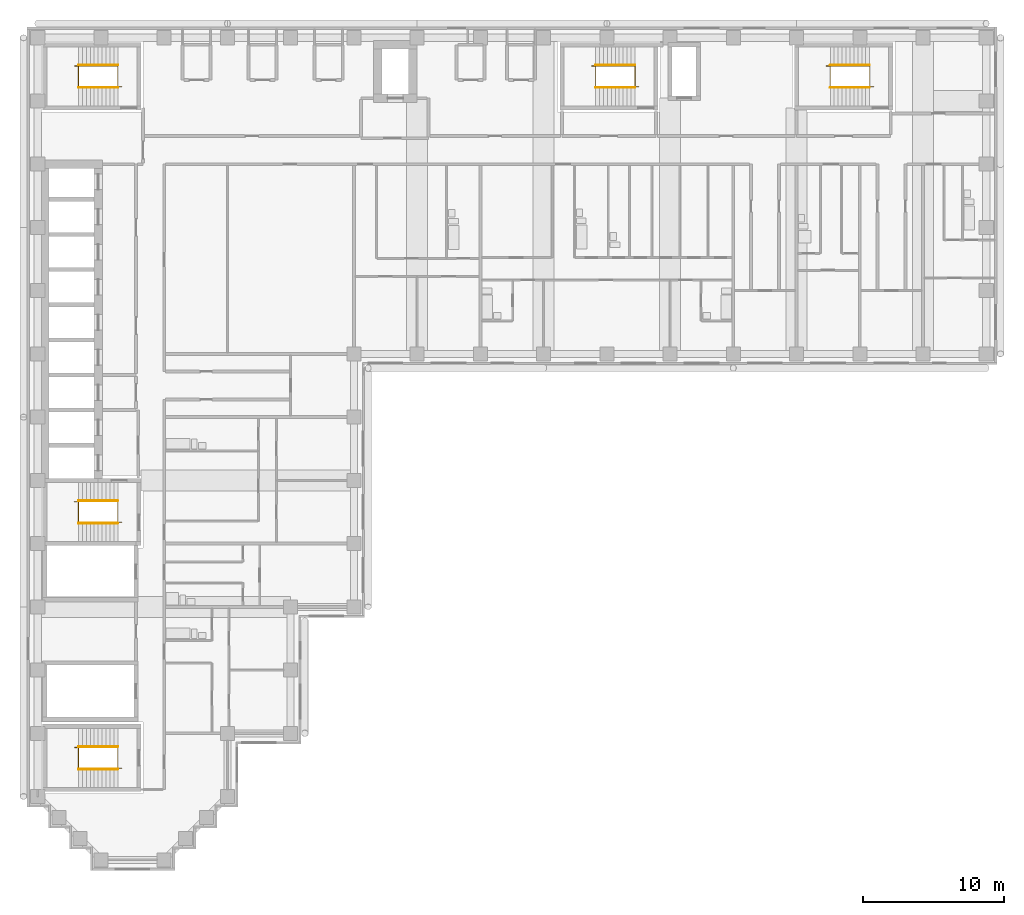
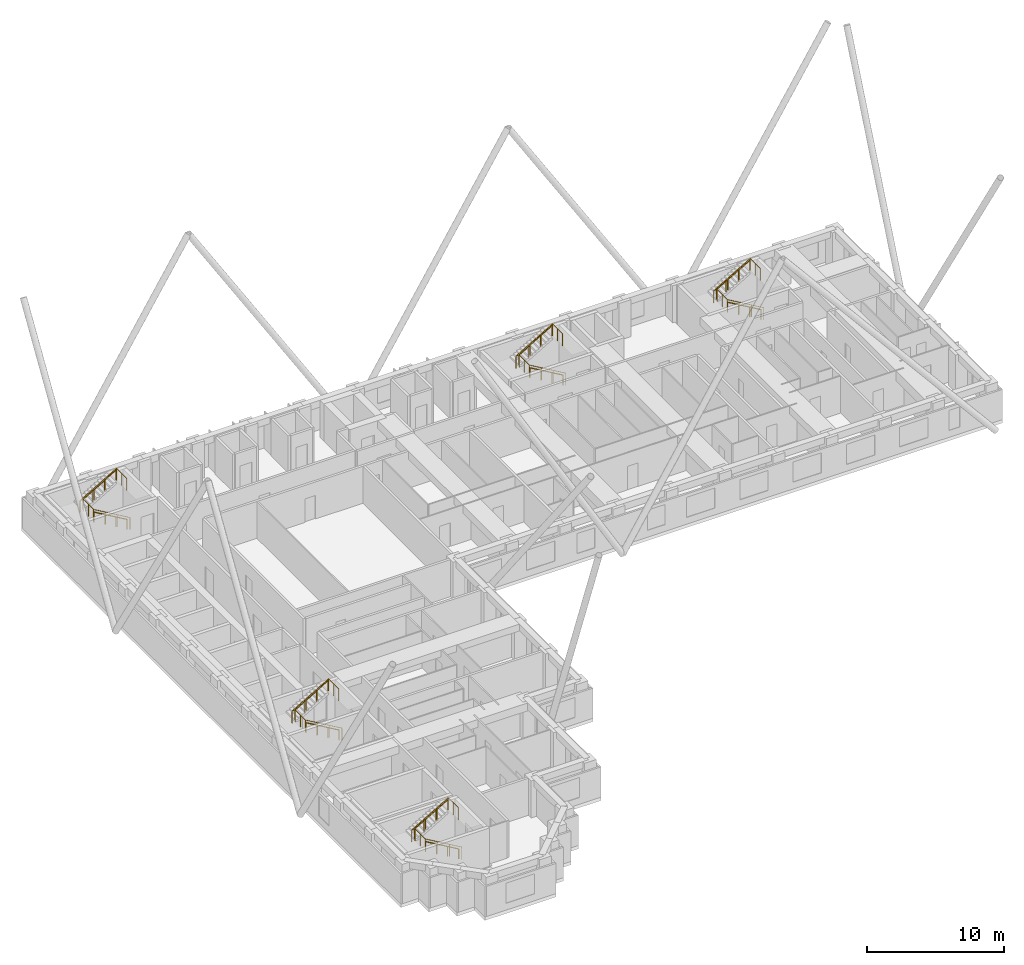
# One storey, part 12 of 13: 15 railings.
"""IFC4 building model written with IfcOpenShell, lengths in metres."""

from ifc_helpers import new_model, si_unit, direction, frame, origin, origin_2d, place, context, subcontext, project, spatial, circle, extrude, material, type_object, element, save


model = new_model("IFC4")

# Units and contexts
model_context = context("Model", 3, precision=1e-05, world=origin(), true_north=direction((0.0, 1.0)))
body_context = subcontext(model_context, "Body", "Model", "MODEL_VIEW")
ifc_project = project(units=[si_unit("LENGTHUNIT", "METRE"), si_unit("AREAUNIT", "SQUARE_METRE"), si_unit("VOLUMEUNIT", "CUBIC_METRE"), si_unit("PLANEANGLEUNIT", "RADIAN"), si_unit("MASSUNIT", "GRAM", prefix="KILO")], contexts=[model_context])

# Site, building, storey
site_placement = place(None, origin())
site = spatial("IfcSite", under=ifc_project, at=site_placement, CompositionType="ELEMENT")
building_placement = place(site_placement, origin())
building = spatial("IfcBuilding", under=site, at=building_placement, Name="Firuza Court", CompositionType="ELEMENT")
storey_placement = place(building_placement, frame((0.0, 0.0, 119.60009765625)))
storey = spatial("IfcBuildingStorey", under=building, at=storey_placement, Name="L29", CompositionType="ELEMENT", Elevation=119.60009765625)

# Railings
ifc_material_1 = material(Name="Steel S355", Category="steel")
railing_type_1 = type_object("IfcRailingType", Name="Handrail 900", PredefinedType="HANDRAIL", material=ifc_material_1)
railing_1_placement = place(storey_placement, frame((42.5, 54.949951171875, 0.16357421875)))
element("IfcRailing", 1, at=railing_1_placement, inside=storey, type_object=railing_type_1, Name="Handrail S1 flight 1", PredefinedType="HANDRAIL", context=body_context, shape_type="SweptSolid", body=[
    extrude(circle(Radius=0.02490234375, at=origin_2d()), frame((0.0, 0.0, 0.875), z_axis=(-0.863393664356, 0.0, 0.504530851732), x_axis=(0.0, -1.0, 0.0)), (0.0, 0.0, 1.0), 3.2431640625),
    extrude(circle(Radius=0.02001953125, at=origin_2d()), origin(), (0.0, 0.0, 1.0), 0.849853515625),
    extrude(circle(Radius=0.02001953125, at=origin_2d()), frame((-0.933349609375, 0.0, 0.54541015625)), (0.0, 0.0, 1.0), 0.849853515625),
    extrude(circle(Radius=0.02001953125, at=origin_2d()), frame((-1.86669921875, 0.0, 1.0908203125)), (0.0, 0.0, 1.0), 0.849853515625),
    extrude(circle(Radius=0.02001953125, at=origin_2d()), frame((-2.800048828125, 0.0, 1.63623046875)), (0.0, 0.0, 1.0), 0.849853515625),
])
railing_2_placement = place(storey_placement, frame((39.699951171875, 56.550048828125, 1.963623046875)))
element("IfcRailing", 2, at=railing_2_placement, inside=storey, type_object=railing_type_1, Name="Handrail S1 flight 2", PredefinedType="HANDRAIL", context=body_context, shape_type="SweptSolid", body=[
    extrude(circle(Radius=0.02490234375, at=origin_2d()), frame((0.0, 0.0, 0.875), z_axis=(0.863393664356, 0.0, 0.504530851732), x_axis=(0.0, 1.0, 0.0)), (0.0, 0.0, 1.0), 3.2431640625),
    extrude(circle(Radius=0.02001953125, at=origin_2d()), origin(), (0.0, 0.0, 1.0), 0.849853515625),
    extrude(circle(Radius=0.02001953125, at=origin_2d()), frame((0.933349609375, 0.0, 0.54541015625)), (0.0, 0.0, 1.0), 0.849853515625),
    extrude(circle(Radius=0.02001953125, at=origin_2d()), frame((1.86669921875, 0.0, 1.0908203125)), (0.0, 0.0, 1.0), 0.849853515625),
    extrude(circle(Radius=0.02001953125, at=origin_2d()), frame((2.800048828125, 0.0, 1.63623046875)), (0.0, 0.0, 1.0), 0.849853515625),
])
railing_3_placement = place(storey_placement, frame((5.699951171875, 23.949951171875, 0.16357421875)))
element("IfcRailing", 3, at=railing_3_placement, inside=storey, type_object=railing_type_1, Name="Handrail S2 flight 1", PredefinedType="HANDRAIL", context=body_context, shape_type="SweptSolid", body=[
    extrude(circle(Radius=0.02490234375, at=origin_2d()), frame((0.0, 0.0, 0.875), z_axis=(-0.863393664356, 0.0, 0.504530851732), x_axis=(0.0, -1.0, 0.0)), (0.0, 0.0, 1.0), 3.2431640625),
    extrude(circle(Radius=0.02001953125, at=origin_2d()), origin(), (0.0, 0.0, 1.0), 0.849853515625),
    extrude(circle(Radius=0.02001953125, at=origin_2d()), frame((-0.933349609375, 0.0, 0.54541015625)), (0.0, 0.0, 1.0), 0.849853515625),
    extrude(circle(Radius=0.02001953125, at=origin_2d()), frame((-1.86669921875, 0.0, 1.0908203125)), (0.0, 0.0, 1.0), 0.849853515625),
    extrude(circle(Radius=0.02001953125, at=origin_2d()), frame((-2.800048828125, 0.0, 1.63623046875)), (0.0, 0.0, 1.0), 0.849853515625),
])
railing_4_placement = place(storey_placement, frame((2.89990234375, 25.550048828125, 1.963623046875)))
element("IfcRailing", 4, at=railing_4_placement, inside=storey, type_object=railing_type_1, Name="Handrail S2 flight 2", PredefinedType="HANDRAIL", context=body_context, shape_type="SweptSolid", body=[
    extrude(circle(Radius=0.02490234375, at=origin_2d()), frame((0.0, 0.0, 0.875), z_axis=(0.863393664356, 0.0, 0.504530851732), x_axis=(0.0, 1.0, 0.0)), (0.0, 0.0, 1.0), 3.2431640625),
    extrude(circle(Radius=0.02001953125, at=origin_2d()), origin(), (0.0, 0.0, 1.0), 0.849853515625),
    extrude(circle(Radius=0.02001953125, at=origin_2d()), frame((0.933349609375, 0.0, 0.54541015625)), (0.0, 0.0, 1.0), 0.849853515625),
    extrude(circle(Radius=0.02001953125, at=origin_2d()), frame((1.86669921875, 0.0, 1.0908203125)), (0.0, 0.0, 1.0), 0.849853515625),
    extrude(circle(Radius=0.02001953125, at=origin_2d()), frame((2.800048828125, 0.0, 1.63623046875)), (0.0, 0.0, 1.0), 0.849853515625),
])
railing_5_placement = place(storey_placement, frame((5.699951171875, 54.949951171875, 0.16357421875)))
element("IfcRailing", 5, at=railing_5_placement, inside=storey, type_object=railing_type_1, Name="Handrail S3 flight 1", PredefinedType="HANDRAIL", context=body_context, shape_type="SweptSolid", body=[
    extrude(circle(Radius=0.02490234375, at=origin_2d()), frame((0.0, 0.0, 0.875), z_axis=(-0.863393664356, 0.0, 0.504530851732), x_axis=(0.0, -1.0, 0.0)), (0.0, 0.0, 1.0), 3.2431640625),
    extrude(circle(Radius=0.02001953125, at=origin_2d()), origin(), (0.0, 0.0, 1.0), 0.849853515625),
    extrude(circle(Radius=0.02001953125, at=origin_2d()), frame((-0.933349609375, 0.0, 0.54541015625)), (0.0, 0.0, 1.0), 0.849853515625),
    extrude(circle(Radius=0.02001953125, at=origin_2d()), frame((-1.86669921875, 0.0, 1.0908203125)), (0.0, 0.0, 1.0), 0.849853515625),
    extrude(circle(Radius=0.02001953125, at=origin_2d()), frame((-2.800048828125, 0.0, 1.63623046875)), (0.0, 0.0, 1.0), 0.849853515625),
])
railing_6_placement = place(storey_placement, frame((2.89990234375, 56.550048828125, 1.963623046875)))
element("IfcRailing", 6, at=railing_6_placement, inside=storey, type_object=railing_type_1, Name="Handrail S3 flight 2", PredefinedType="HANDRAIL", context=body_context, shape_type="SweptSolid", body=[
    extrude(circle(Radius=0.02490234375, at=origin_2d()), frame((0.0, 0.0, 0.875), z_axis=(0.863393664356, 0.0, 0.504530851732), x_axis=(0.0, 1.0, 0.0)), (0.0, 0.0, 1.0), 3.2431640625),
    extrude(circle(Radius=0.02001953125, at=origin_2d()), origin(), (0.0, 0.0, 1.0), 0.849853515625),
    extrude(circle(Radius=0.02001953125, at=origin_2d()), frame((0.933349609375, 0.0, 0.54541015625)), (0.0, 0.0, 1.0), 0.849853515625),
    extrude(circle(Radius=0.02001953125, at=origin_2d()), frame((1.86669921875, 0.0, 1.0908203125)), (0.0, 0.0, 1.0), 0.849853515625),
    extrude(circle(Radius=0.02001953125, at=origin_2d()), frame((2.800048828125, 0.0, 1.63623046875)), (0.0, 0.0, 1.0), 0.849853515625),
])
railing_7_placement = place(storey_placement, frame((59.199951171875, 54.949951171875, 0.16357421875)))
element("IfcRailing", 7, at=railing_7_placement, inside=storey, type_object=railing_type_1, Name="Handrail S4 flight 1", PredefinedType="HANDRAIL", context=body_context, shape_type="SweptSolid", body=[
    extrude(circle(Radius=0.02490234375, at=origin_2d()), frame((0.0, 0.0, 0.875), z_axis=(-0.863393664356, 0.0, 0.504530851732), x_axis=(0.0, -1.0, 0.0)), (0.0, 0.0, 1.0), 3.2431640625),
    extrude(circle(Radius=0.02001953125, at=origin_2d()), origin(), (0.0, 0.0, 1.0), 0.849853515625),
    extrude(circle(Radius=0.02001953125, at=origin_2d()), frame((-0.933349609375, 0.0, 0.54541015625)), (0.0, 0.0, 1.0), 0.849853515625),
    extrude(circle(Radius=0.02001953125, at=origin_2d()), frame((-1.86669921875, 0.0, 1.0908203125)), (0.0, 0.0, 1.0), 0.849853515625),
    extrude(circle(Radius=0.02001953125, at=origin_2d()), frame((-2.800048828125, 0.0, 1.63623046875)), (0.0, 0.0, 1.0), 0.849853515625),
])
railing_8_placement = place(storey_placement, frame((56.39990234375, 56.550048828125, 1.963623046875)))
element("IfcRailing", 8, at=railing_8_placement, inside=storey, type_object=railing_type_1, Name="Handrail S4 flight 2", PredefinedType="HANDRAIL", context=body_context, shape_type="SweptSolid", body=[
    extrude(circle(Radius=0.02490234375, at=origin_2d()), frame((0.0, 0.0, 0.875), z_axis=(0.863393664356, 0.0, 0.504530851732), x_axis=(0.0, 1.0, 0.0)), (0.0, 0.0, 1.0), 3.2431640625),
    extrude(circle(Radius=0.02001953125, at=origin_2d()), origin(), (0.0, 0.0, 1.0), 0.849853515625),
    extrude(circle(Radius=0.02001953125, at=origin_2d()), frame((0.933349609375, 0.0, 0.54541015625)), (0.0, 0.0, 1.0), 0.849853515625),
    extrude(circle(Radius=0.02001953125, at=origin_2d()), frame((1.86669921875, 0.0, 1.0908203125)), (0.0, 0.0, 1.0), 0.849853515625),
    extrude(circle(Radius=0.02001953125, at=origin_2d()), frame((2.800048828125, 0.0, 1.63623046875)), (0.0, 0.0, 1.0), 0.849853515625),
])
railing_9_placement = place(storey_placement, frame((5.699951171875, 6.449951171875, 0.16357421875)))
element("IfcRailing", 9, at=railing_9_placement, inside=storey, type_object=railing_type_1, Name="Handrail S5 flight 1", PredefinedType="HANDRAIL", context=body_context, shape_type="SweptSolid", body=[
    extrude(circle(Radius=0.02490234375, at=origin_2d()), frame((0.0, 0.0, 0.875), z_axis=(-0.863393664356, 0.0, 0.504530851732), x_axis=(0.0, -1.0, 0.0)), (0.0, 0.0, 1.0), 3.2431640625),
    extrude(circle(Radius=0.02001953125, at=origin_2d()), origin(), (0.0, 0.0, 1.0), 0.849853515625),
    extrude(circle(Radius=0.02001953125, at=origin_2d()), frame((-0.933349609375, 0.0, 0.54541015625)), (0.0, 0.0, 1.0), 0.849853515625),
    extrude(circle(Radius=0.02001953125, at=origin_2d()), frame((-1.86669921875, 0.0, 1.0908203125)), (0.0, 0.0, 1.0), 0.849853515625),
    extrude(circle(Radius=0.02001953125, at=origin_2d()), frame((-2.800048828125, 0.0, 1.63623046875)), (0.0, 0.0, 1.0), 0.849853515625),
])
railing_10_placement = place(storey_placement, frame((2.89990234375, 8.050048828125, 1.963623046875)))
element("IfcRailing", 10, at=railing_10_placement, inside=storey, type_object=railing_type_1, Name="Handrail S5 flight 2", PredefinedType="HANDRAIL", context=body_context, shape_type="SweptSolid", body=[
    extrude(circle(Radius=0.02490234375, at=origin_2d()), frame((0.0, 0.0, 0.875), z_axis=(0.863393664356, 0.0, 0.504530851732), x_axis=(0.0, 1.0, 0.0)), (0.0, 0.0, 1.0), 3.2431640625),
    extrude(circle(Radius=0.02001953125, at=origin_2d()), origin(), (0.0, 0.0, 1.0), 0.849853515625),
    extrude(circle(Radius=0.02001953125, at=origin_2d()), frame((0.933349609375, 0.0, 0.54541015625)), (0.0, 0.0, 1.0), 0.849853515625),
    extrude(circle(Radius=0.02001953125, at=origin_2d()), frame((1.86669921875, 0.0, 1.0908203125)), (0.0, 0.0, 1.0), 0.849853515625),
    extrude(circle(Radius=0.02001953125, at=origin_2d()), frame((2.800048828125, 0.0, 1.63623046875)), (0.0, 0.0, 1.0), 0.849853515625),
])
ifc_material_2 = material(Name="Steel S355", Category="steel")
railing_type_2 = type_object("IfcRailingType", Name="Stair guard 1100", PredefinedType="GUARDRAIL", material=ifc_material_2)
railing_11_placement = place(storey_placement, frame((42.780029296875, 55.010009765625, 0.0)))
element("IfcRailing", 11, at=railing_11_placement, inside=storey, type_object=railing_type_2, Name="Stair well guard S1", PredefinedType="GUARDRAIL", context=body_context, shape_type="SweptSolid", body=[
    extrude(circle(Radius=0.02490234375, at=origin_2d()), frame((0.0, 0.0, 1.0751953125), z_axis=(-0.863401368682, 0.0, 0.504517667242), x_axis=(0.0, -1.0, 0.0)), (0.0, 0.0, 1.0), 3.5673828125),
    extrude(circle(Radius=0.02490234375, at=origin_2d()), frame((-3.080078125, 0.0, 2.875), z_axis=(0.0, 1.0, 0.0), x_axis=(-1.0, 0.0, 0.0)), (0.0, 0.0, 1.0), 1.47998046875),
    extrude(circle(Radius=0.02490234375, at=origin_2d()), frame((-3.080078125, 1.47998046875, 2.875), z_axis=(-1.0, 0.0, 0.0), x_axis=(0.0, -1.0, 0.0)), (0.0, 0.0, 1.0), 0.280029296875),
    extrude(circle(Radius=0.02490234375, at=origin_2d()), frame((-3.360107421875, 1.47998046875, 2.875), z_axis=(0.863371556955, 0.0, 0.504568681787), x_axis=(0.0, 1.0, 0.0)), (0.0, 0.0, 1.0), 3.5673828125),
    extrude(circle(Radius=0.02490234375, at=origin_2d()), frame((-0.280029296875, 1.47998046875, 4.6748046875), z_axis=(0.0, -1.0, 0.0), x_axis=(1.0, 0.0, 0.0)), (0.0, 0.0, 1.0), 1.47998046875),
    extrude(circle(Radius=0.02490234375, at=origin_2d()), origin(), (0.0, 0.0, 1.0), 1.050048828125),
    extrude(circle(Radius=0.02490234375, at=origin_2d()), frame((-1.026611328125, 0.0, 0.599853515625)), (0.0, 0.0, 1.0), 1.050048828125),
    extrude(circle(Radius=0.02490234375, at=origin_2d()), frame((-2.053466796875, 0.0, 1.199951171875)), (0.0, 0.0, 1.0), 1.050048828125),
    extrude(circle(Radius=0.02490234375, at=origin_2d()), frame((-3.080078125, 0.0, 1.7998046875)), (0.0, 0.0, 1.0), 1.050048828125),
    extrude(circle(Radius=0.02490234375, at=origin_2d()), frame((-3.080078125, 0.739990234375, 1.7998046875)), (0.0, 0.0, 1.0), 1.050048828125),
    extrude(circle(Radius=0.02490234375, at=origin_2d()), frame((-3.080078125, 1.47998046875, 1.7998046875)), (0.0, 0.0, 1.0), 1.050048828125),
    extrude(circle(Radius=0.02490234375, at=origin_2d()), frame((-3.360107421875, 1.47998046875, 1.7998046875)), (0.0, 0.0, 1.0), 1.050048828125),
    extrude(circle(Radius=0.02490234375, at=origin_2d()), frame((-2.33349609375, 1.47998046875, 2.39990234375)), (0.0, 0.0, 1.0), 1.050048828125),
    extrude(circle(Radius=0.02490234375, at=origin_2d()), frame((-1.306640625, 1.47998046875, 2.999755859375)), (0.0, 0.0, 1.0), 1.050048828125),
    extrude(circle(Radius=0.02490234375, at=origin_2d()), frame((-0.280029296875, 1.47998046875, 3.599853515625)), (0.0, 0.0, 1.0), 1.050048828125),
    extrude(circle(Radius=0.02490234375, at=origin_2d()), frame((-0.280029296875, 0.739990234375, 3.599853515625)), (0.0, 0.0, 1.0), 1.050048828125),
    extrude(circle(Radius=0.02490234375, at=origin_2d()), frame((-0.280029296875, 0.0, 3.599853515625)), (0.0, 0.0, 1.0), 1.050048828125),
])
railing_12_placement = place(storey_placement, frame((5.97998046875, 24.010009765625, 0.0)))
element("IfcRailing", 12, at=railing_12_placement, inside=storey, type_object=railing_type_2, Name="Stair well guard S2", PredefinedType="GUARDRAIL", context=body_context, shape_type="SweptSolid", body=[
    extrude(circle(Radius=0.02490234375, at=origin_2d()), frame((0.0, 0.0, 1.0751953125), z_axis=(-0.863401368682, 0.0, 0.504517667242), x_axis=(0.0, -1.0, 0.0)), (0.0, 0.0, 1.0), 3.5673828125),
    extrude(circle(Radius=0.02490234375, at=origin_2d()), frame((-3.080078125, 0.0, 2.875), z_axis=(0.0, 1.0, 0.0), x_axis=(-1.0, 0.0, 0.0)), (0.0, 0.0, 1.0), 1.47998046875),
    extrude(circle(Radius=0.02490234375, at=origin_2d()), frame((-3.080078125, 1.47998046875, 2.875), z_axis=(-1.0, 0.0, 0.0), x_axis=(0.0, -1.0, 0.0)), (0.0, 0.0, 1.0), 0.27978515625),
    extrude(circle(Radius=0.02490234375, at=origin_2d()), frame((-3.35986328125, 1.47998046875, 2.875), z_axis=(0.863354132664, 0.0, 0.504598495452), x_axis=(0.0, 1.0, 0.0)), (0.0, 0.0, 1.0), 3.5673828125),
    extrude(circle(Radius=0.02490234375, at=origin_2d()), frame((-0.280029296875, 1.47998046875, 4.6748046875), z_axis=(0.0, -1.0, 0.0), x_axis=(1.0, 0.0, 0.0)), (0.0, 0.0, 1.0), 1.47998046875),
    extrude(circle(Radius=0.02490234375, at=origin_2d()), origin(), (0.0, 0.0, 1.0), 1.050048828125),
    extrude(circle(Radius=0.02490234375, at=origin_2d()), frame((-1.026611328125, 0.0, 0.599853515625)), (0.0, 0.0, 1.0), 1.050048828125),
    extrude(circle(Radius=0.02490234375, at=origin_2d()), frame((-2.053466796875, 0.0, 1.199951171875)), (0.0, 0.0, 1.0), 1.050048828125),
    extrude(circle(Radius=0.02490234375, at=origin_2d()), frame((-3.080078125, 0.0, 1.7998046875)), (0.0, 0.0, 1.0), 1.050048828125),
    extrude(circle(Radius=0.02490234375, at=origin_2d()), frame((-3.080078125, 0.739990234375, 1.7998046875)), (0.0, 0.0, 1.0), 1.050048828125),
    extrude(circle(Radius=0.02490234375, at=origin_2d()), frame((-3.080078125, 1.47998046875, 1.7998046875)), (0.0, 0.0, 1.0), 1.050048828125),
    extrude(circle(Radius=0.02490234375, at=origin_2d()), frame((-3.35986328125, 1.47998046875, 1.7998046875)), (0.0, 0.0, 1.0), 1.050048828125),
    extrude(circle(Radius=0.02490234375, at=origin_2d()), frame((-2.333251953125, 1.47998046875, 2.39990234375)), (0.0, 0.0, 1.0), 1.050048828125),
    extrude(circle(Radius=0.02490234375, at=origin_2d()), frame((-1.306640625, 1.47998046875, 2.999755859375)), (0.0, 0.0, 1.0), 1.050048828125),
    extrude(circle(Radius=0.02490234375, at=origin_2d()), frame((-0.280029296875, 1.47998046875, 3.599853515625)), (0.0, 0.0, 1.0), 1.050048828125),
    extrude(circle(Radius=0.02490234375, at=origin_2d()), frame((-0.280029296875, 0.739990234375, 3.599853515625)), (0.0, 0.0, 1.0), 1.050048828125),
    extrude(circle(Radius=0.02490234375, at=origin_2d()), frame((-0.280029296875, 0.0, 3.599853515625)), (0.0, 0.0, 1.0), 1.050048828125),
])
railing_13_placement = place(storey_placement, frame((5.97998046875, 55.010009765625, 0.0)))
element("IfcRailing", 13, at=railing_13_placement, inside=storey, type_object=railing_type_2, Name="Stair well guard S3", PredefinedType="GUARDRAIL", context=body_context, shape_type="SweptSolid", body=[
    extrude(circle(Radius=0.02490234375, at=origin_2d()), frame((0.0, 0.0, 1.0751953125), z_axis=(-0.863401368682, 0.0, 0.504517667242), x_axis=(0.0, -1.0, 0.0)), (0.0, 0.0, 1.0), 3.5673828125),
    extrude(circle(Radius=0.02490234375, at=origin_2d()), frame((-3.080078125, 0.0, 2.875), z_axis=(0.0, 1.0, 0.0), x_axis=(-1.0, 0.0, 0.0)), (0.0, 0.0, 1.0), 1.47998046875),
    extrude(circle(Radius=0.02490234375, at=origin_2d()), frame((-3.080078125, 1.47998046875, 2.875), z_axis=(-1.0, 0.0, 0.0), x_axis=(0.0, -1.0, 0.0)), (0.0, 0.0, 1.0), 0.27978515625),
    extrude(circle(Radius=0.02490234375, at=origin_2d()), frame((-3.35986328125, 1.47998046875, 2.875), z_axis=(0.863354132664, 0.0, 0.504598495452), x_axis=(0.0, 1.0, 0.0)), (0.0, 0.0, 1.0), 3.5673828125),
    extrude(circle(Radius=0.02490234375, at=origin_2d()), frame((-0.280029296875, 1.47998046875, 4.6748046875), z_axis=(0.0, -1.0, 0.0), x_axis=(1.0, 0.0, 0.0)), (0.0, 0.0, 1.0), 1.47998046875),
    extrude(circle(Radius=0.02490234375, at=origin_2d()), origin(), (0.0, 0.0, 1.0), 1.050048828125),
    extrude(circle(Radius=0.02490234375, at=origin_2d()), frame((-1.026611328125, 0.0, 0.599853515625)), (0.0, 0.0, 1.0), 1.050048828125),
    extrude(circle(Radius=0.02490234375, at=origin_2d()), frame((-2.053466796875, 0.0, 1.199951171875)), (0.0, 0.0, 1.0), 1.050048828125),
    extrude(circle(Radius=0.02490234375, at=origin_2d()), frame((-3.080078125, 0.0, 1.7998046875)), (0.0, 0.0, 1.0), 1.050048828125),
    extrude(circle(Radius=0.02490234375, at=origin_2d()), frame((-3.080078125, 0.739990234375, 1.7998046875)), (0.0, 0.0, 1.0), 1.050048828125),
    extrude(circle(Radius=0.02490234375, at=origin_2d()), frame((-3.080078125, 1.47998046875, 1.7998046875)), (0.0, 0.0, 1.0), 1.050048828125),
    extrude(circle(Radius=0.02490234375, at=origin_2d()), frame((-3.35986328125, 1.47998046875, 1.7998046875)), (0.0, 0.0, 1.0), 1.050048828125),
    extrude(circle(Radius=0.02490234375, at=origin_2d()), frame((-2.333251953125, 1.47998046875, 2.39990234375)), (0.0, 0.0, 1.0), 1.050048828125),
    extrude(circle(Radius=0.02490234375, at=origin_2d()), frame((-1.306640625, 1.47998046875, 2.999755859375)), (0.0, 0.0, 1.0), 1.050048828125),
    extrude(circle(Radius=0.02490234375, at=origin_2d()), frame((-0.280029296875, 1.47998046875, 3.599853515625)), (0.0, 0.0, 1.0), 1.050048828125),
    extrude(circle(Radius=0.02490234375, at=origin_2d()), frame((-0.280029296875, 0.739990234375, 3.599853515625)), (0.0, 0.0, 1.0), 1.050048828125),
    extrude(circle(Radius=0.02490234375, at=origin_2d()), frame((-0.280029296875, 0.0, 3.599853515625)), (0.0, 0.0, 1.0), 1.050048828125),
])
railing_14_placement = place(storey_placement, frame((59.47998046875, 55.010009765625, 0.0)))
element("IfcRailing", 14, at=railing_14_placement, inside=storey, type_object=railing_type_2, Name="Stair well guard S4", PredefinedType="GUARDRAIL", context=body_context, shape_type="SweptSolid", body=[
    extrude(circle(Radius=0.02490234375, at=origin_2d()), frame((0.0, 0.0, 1.0751953125), z_axis=(-0.863401368682, 0.0, 0.504517667242), x_axis=(0.0, -1.0, 0.0)), (0.0, 0.0, 1.0), 3.5673828125),
    extrude(circle(Radius=0.02490234375, at=origin_2d()), frame((-3.080078125, 0.0, 2.875), z_axis=(0.0, 1.0, 0.0), x_axis=(-1.0, 0.0, 0.0)), (0.0, 0.0, 1.0), 1.47998046875),
    extrude(circle(Radius=0.02490234375, at=origin_2d()), frame((-3.080078125, 1.47998046875, 2.875), z_axis=(-1.0, 0.0, 0.0), x_axis=(0.0, -1.0, 0.0)), (0.0, 0.0, 1.0), 0.27978515625),
    extrude(circle(Radius=0.02490234375, at=origin_2d()), frame((-3.35986328125, 1.47998046875, 2.875), z_axis=(0.863354132664, 0.0, 0.504598495452), x_axis=(0.0, 1.0, 0.0)), (0.0, 0.0, 1.0), 3.5673828125),
    extrude(circle(Radius=0.02490234375, at=origin_2d()), frame((-0.280029296875, 1.47998046875, 4.6748046875), z_axis=(0.0, -1.0, 0.0), x_axis=(1.0, 0.0, 0.0)), (0.0, 0.0, 1.0), 1.47998046875),
    extrude(circle(Radius=0.02490234375, at=origin_2d()), origin(), (0.0, 0.0, 1.0), 1.050048828125),
    extrude(circle(Radius=0.02490234375, at=origin_2d()), frame((-1.026611328125, 0.0, 0.599853515625)), (0.0, 0.0, 1.0), 1.050048828125),
    extrude(circle(Radius=0.02490234375, at=origin_2d()), frame((-2.053466796875, 0.0, 1.199951171875)), (0.0, 0.0, 1.0), 1.050048828125),
    extrude(circle(Radius=0.02490234375, at=origin_2d()), frame((-3.080078125, 0.0, 1.7998046875)), (0.0, 0.0, 1.0), 1.050048828125),
    extrude(circle(Radius=0.02490234375, at=origin_2d()), frame((-3.080078125, 0.739990234375, 1.7998046875)), (0.0, 0.0, 1.0), 1.050048828125),
    extrude(circle(Radius=0.02490234375, at=origin_2d()), frame((-3.080078125, 1.47998046875, 1.7998046875)), (0.0, 0.0, 1.0), 1.050048828125),
    extrude(circle(Radius=0.02490234375, at=origin_2d()), frame((-3.35986328125, 1.47998046875, 1.7998046875)), (0.0, 0.0, 1.0), 1.050048828125),
    extrude(circle(Radius=0.02490234375, at=origin_2d()), frame((-2.333251953125, 1.47998046875, 2.39990234375)), (0.0, 0.0, 1.0), 1.050048828125),
    extrude(circle(Radius=0.02490234375, at=origin_2d()), frame((-1.306640625, 1.47998046875, 2.999755859375)), (0.0, 0.0, 1.0), 1.050048828125),
    extrude(circle(Radius=0.02490234375, at=origin_2d()), frame((-0.280029296875, 1.47998046875, 3.599853515625)), (0.0, 0.0, 1.0), 1.050048828125),
    extrude(circle(Radius=0.02490234375, at=origin_2d()), frame((-0.280029296875, 0.739990234375, 3.599853515625)), (0.0, 0.0, 1.0), 1.050048828125),
    extrude(circle(Radius=0.02490234375, at=origin_2d()), frame((-0.280029296875, 0.0, 3.599853515625)), (0.0, 0.0, 1.0), 1.050048828125),
])
railing_15_placement = place(storey_placement, frame((5.97998046875, 6.510009765625, 0.0)))
element("IfcRailing", 15, at=railing_15_placement, inside=storey, type_object=railing_type_2, Name="Stair well guard S5", PredefinedType="GUARDRAIL", context=body_context, shape_type="SweptSolid", body=[
    extrude(circle(Radius=0.02490234375, at=origin_2d()), frame((0.0, 0.0, 1.0751953125), z_axis=(-0.863401368682, 0.0, 0.504517667242), x_axis=(0.0, -1.0, 0.0)), (0.0, 0.0, 1.0), 3.5673828125),
    extrude(circle(Radius=0.02490234375, at=origin_2d()), frame((-3.080078125, 0.0, 2.875), z_axis=(0.0, 1.0, 0.0), x_axis=(-1.0, 0.0, 0.0)), (0.0, 0.0, 1.0), 1.47998046875),
    extrude(circle(Radius=0.02490234375, at=origin_2d()), frame((-3.080078125, 1.47998046875, 2.875), z_axis=(-1.0, 0.0, 0.0), x_axis=(0.0, -1.0, 0.0)), (0.0, 0.0, 1.0), 0.27978515625),
    extrude(circle(Radius=0.02490234375, at=origin_2d()), frame((-3.35986328125, 1.47998046875, 2.875), z_axis=(0.863354132664, 0.0, 0.504598495452), x_axis=(0.0, 1.0, 0.0)), (0.0, 0.0, 1.0), 3.5673828125),
    extrude(circle(Radius=0.02490234375, at=origin_2d()), frame((-0.280029296875, 1.47998046875, 4.6748046875), z_axis=(0.0, -1.0, 0.0), x_axis=(1.0, 0.0, 0.0)), (0.0, 0.0, 1.0), 1.47998046875),
    extrude(circle(Radius=0.02490234375, at=origin_2d()), origin(), (0.0, 0.0, 1.0), 1.050048828125),
    extrude(circle(Radius=0.02490234375, at=origin_2d()), frame((-1.026611328125, 0.0, 0.599853515625)), (0.0, 0.0, 1.0), 1.050048828125),
    extrude(circle(Radius=0.02490234375, at=origin_2d()), frame((-2.053466796875, 0.0, 1.199951171875)), (0.0, 0.0, 1.0), 1.050048828125),
    extrude(circle(Radius=0.02490234375, at=origin_2d()), frame((-3.080078125, 0.0, 1.7998046875)), (0.0, 0.0, 1.0), 1.050048828125),
    extrude(circle(Radius=0.02490234375, at=origin_2d()), frame((-3.080078125, 0.739990234375, 1.7998046875)), (0.0, 0.0, 1.0), 1.050048828125),
    extrude(circle(Radius=0.02490234375, at=origin_2d()), frame((-3.080078125, 1.47998046875, 1.7998046875)), (0.0, 0.0, 1.0), 1.050048828125),
    extrude(circle(Radius=0.02490234375, at=origin_2d()), frame((-3.35986328125, 1.47998046875, 1.7998046875)), (0.0, 0.0, 1.0), 1.050048828125),
    extrude(circle(Radius=0.02490234375, at=origin_2d()), frame((-2.333251953125, 1.47998046875, 2.39990234375)), (0.0, 0.0, 1.0), 1.050048828125),
    extrude(circle(Radius=0.02490234375, at=origin_2d()), frame((-1.306640625, 1.47998046875, 2.999755859375)), (0.0, 0.0, 1.0), 1.050048828125),
    extrude(circle(Radius=0.02490234375, at=origin_2d()), frame((-0.280029296875, 1.47998046875, 3.599853515625)), (0.0, 0.0, 1.0), 1.050048828125),
    extrude(circle(Radius=0.02490234375, at=origin_2d()), frame((-0.280029296875, 0.739990234375, 3.599853515625)), (0.0, 0.0, 1.0), 1.050048828125),
    extrude(circle(Radius=0.02490234375, at=origin_2d()), frame((-0.280029296875, 0.0, 3.599853515625)), (0.0, 0.0, 1.0), 1.050048828125),
])

save(model, "model.ifc")
